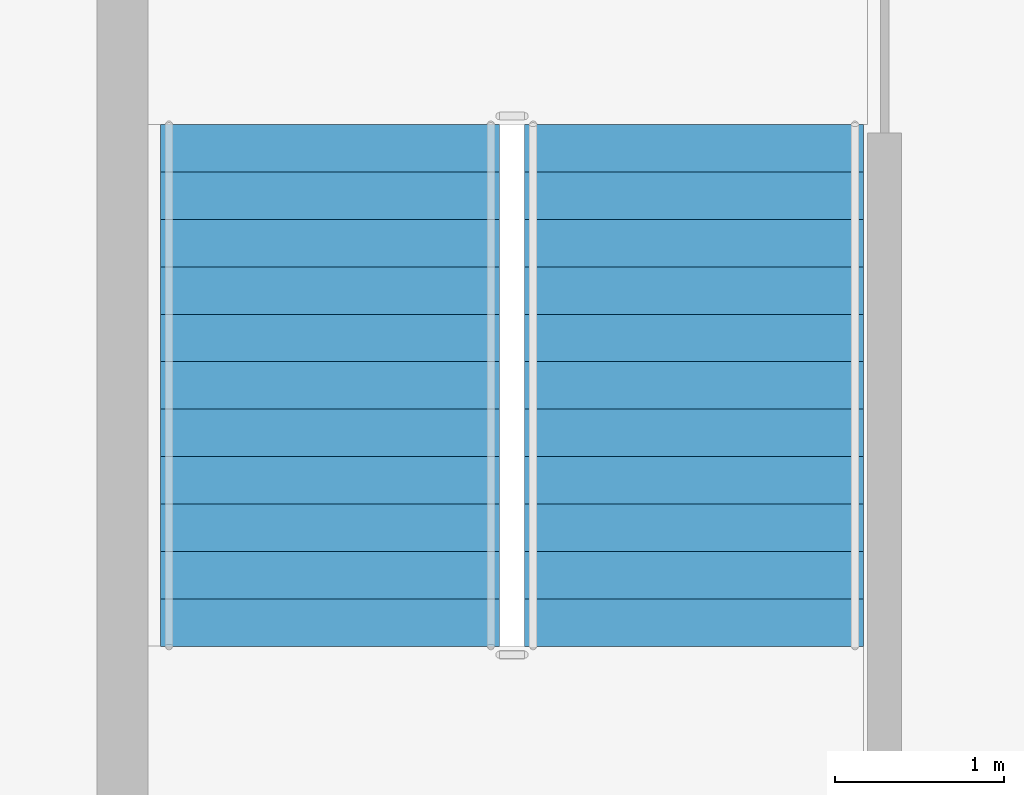
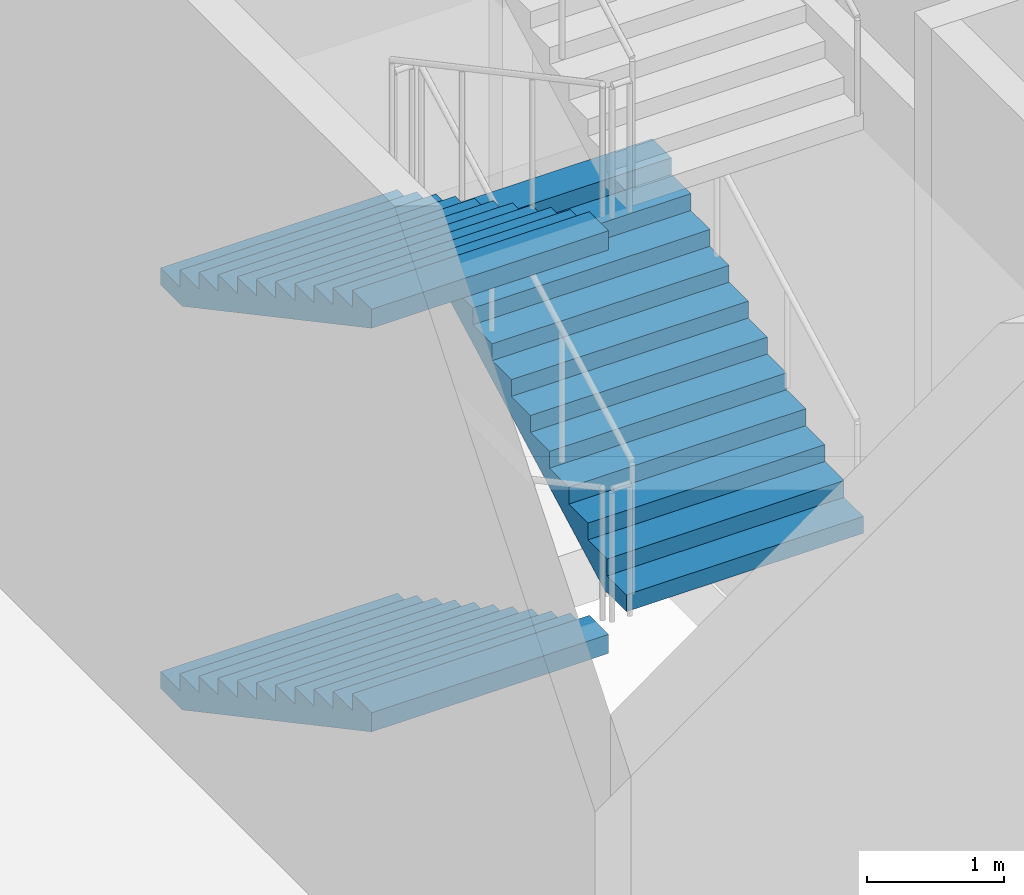
# One storey, part 11 of 15: 3 stair flights, 1 element without a shape of its own.
"""IFC4 building model written with IfcOpenShell, lengths in metres."""

from ifc_helpers import new_model, si_unit, direction, frame, origin, place, context, subcontext, project, spatial, polygons, material, type_object, element, aggregate, save


model = new_model("IFC4")

# Units and contexts
model_context = context("Model", 3, precision=1e-05, world=origin(), true_north=direction((0.0, 1.0)))
body_context = subcontext(model_context, "Body", "Model", "MODEL_VIEW")
ifc_project = project(units=[si_unit("LENGTHUNIT", "METRE"), si_unit("AREAUNIT", "SQUARE_METRE"), si_unit("VOLUMEUNIT", "CUBIC_METRE"), si_unit("PLANEANGLEUNIT", "RADIAN"), si_unit("MASSUNIT", "GRAM", prefix="KILO")], contexts=[model_context])

# Site, building, storey
site_placement = place(None, origin())
site = spatial("IfcSite", under=ifc_project, at=site_placement, CompositionType="ELEMENT")
building_placement = place(site_placement, origin())
building = spatial("IfcBuilding", under=site, at=building_placement, Name="Caravel Reach Hotel and Residences", CompositionType="ELEMENT")
storey_placement = place(building_placement, frame((0.0, 0.0, 305.60009765625)))
storey = spatial("IfcBuildingStorey", under=building, at=storey_placement, Name="L78", CompositionType="ELEMENT", Elevation=305.60009765625)

# Stair, stair flights
ifc_material_1 = material(Name="Concrete C40", Category="concrete")
stair_type = type_object("IfcStairType", Name="Core stair", PredefinedType="HALF_TURN_STAIR", material=ifc_material_1)
stair_placement = place(storey_placement, origin())
stair = element("IfcStair", 1, at=stair_placement, inside=storey, type_object=stair_type, Name="L78 Exit stair A", PredefinedType="HALF_TURN_STAIR")
ifc_material_2 = material(Name="Concrete C40", Category="concrete")
stair_flight_type = type_object("IfcStairFlightType", Name="Core stair flight", PredefinedType="STRAIGHT", material=ifc_material_2)
stair_flight_1_placement = place(storey_placement, frame((19.22509765625, 29.35009765625, 0.0), z_axis=(0.0, 0.0, 1.0), x_axis=(0.0, -1.0, 0.0)))
stair_flight_1 = element("IfcStairFlight", 2, at=stair_flight_1_placement, type_object=stair_flight_type, Name="ST-A flight 1", NumberOfRisers=12, NumberOfTreads=11, PredefinedType="STRAIGHT", RiserHeight=0.15, TreadLength=0.28, context=body_context, shape_type="Tessellation", body=[
    polygons([(0.3174408016601862, 1.0, 0.0), (0.3174408016601862, 0.6666666666666667, 0.0), (0.3174408016601862, 0.33333333333333337, 0.0), (0.3174408016601862, 0.0, 0.0), (0.3174408016601862, -0.33333333333333326, 0.0), (0.3174408016601862, -0.6666666666666667, 0.0), (0.3174408016601862, -1.0, 0.0), (3.081, 1.0, 1.479942427682043), (3.081, 0.6666666666666667, 1.479942427682043), (3.081, 0.33333333333333337, 1.479942427682043), (3.081, 0.0, 1.479942427682043), (3.081, -0.33333333333333326, 1.479942427682043), (3.081, -0.6666666666666667, 1.479942427682043), (3.081, -1.0, 1.479942427682043), (3.081, 1.0, 1.65), (3.081, 0.6666666666666667, 1.65), (3.081, 0.33333333333333337, 1.65), (3.081, 0.0, 1.65), (3.081, -0.33333333333333326, 1.65), (3.081, -0.6666666666666667, 1.65), (3.081, -1.0, 1.65), (2.8000000000000003, 1.0, 1.65), (2.8000000000000003, 0.6666666666666667, 1.65), (2.8000000000000003, 0.33333333333333337, 1.65), (2.8000000000000003, 0.0, 1.65), (2.8000000000000003, -0.33333333333333326, 1.65), (2.8000000000000003, -0.6666666666666667, 1.65), (2.8000000000000003, -1.0, 1.65), (2.8000000000000003, 1.0, 1.5), (2.8000000000000003, 0.6666666666666667, 1.5), (2.8000000000000003, 0.33333333333333337, 1.5), (2.8000000000000003, 0.0, 1.5), (2.8000000000000003, -0.33333333333333326, 1.5), (2.8000000000000003, -0.6666666666666667, 1.5), (2.8000000000000003, -1.0, 1.5), (2.5200000000000005, 1.0, 1.5), (2.5200000000000005, 0.6666666666666667, 1.5), (2.5200000000000005, 0.33333333333333337, 1.5), (2.5200000000000005, 0.0, 1.5), (2.5200000000000005, -0.33333333333333326, 1.5), (2.5200000000000005, -0.6666666666666667, 1.5), (2.5200000000000005, -1.0, 1.5), (2.5200000000000005, 1.0, 1.3499999999999999), (2.5200000000000005, 0.6666666666666667, 1.3499999999999999), (2.5200000000000005, 0.33333333333333337, 1.3499999999999999), (2.5200000000000005, 0.0, 1.3499999999999999), (2.5200000000000005, -0.33333333333333326, 1.3499999999999999), (2.5200000000000005, -0.6666666666666667, 1.3499999999999999), (2.5200000000000005, -1.0, 1.3499999999999999), (2.24, 1.0, 1.3499999999999999), (2.24, 0.6666666666666667, 1.3499999999999999), (2.24, 0.33333333333333337, 1.3499999999999999), (2.24, 0.0, 1.3499999999999999), (2.24, -0.33333333333333326, 1.3499999999999999), (2.24, -0.6666666666666667, 1.3499999999999999), (2.24, -1.0, 1.3499999999999999), (2.24, 1.0, 1.2), (2.24, 0.6666666666666667, 1.2), (2.24, 0.33333333333333337, 1.2), (2.24, 0.0, 1.2), (2.24, -0.33333333333333326, 1.2), (2.24, -0.6666666666666667, 1.2), (2.24, -1.0, 1.2), (1.9600000000000002, 1.0, 1.2), (1.9600000000000002, 0.6666666666666667, 1.2), (1.9600000000000002, 0.33333333333333337, 1.2), (1.9600000000000002, 0.0, 1.2), (1.9600000000000002, -0.33333333333333326, 1.2), (1.9600000000000002, -0.6666666666666667, 1.2), (1.9600000000000002, -1.0, 1.2), (1.9600000000000002, 1.0, 1.05), (1.9600000000000002, 0.6666666666666667, 1.05), (1.9600000000000002, 0.33333333333333337, 1.05), (1.9600000000000002, 0.0, 1.05), (1.9600000000000002, -0.33333333333333326, 1.05), (1.9600000000000002, -0.6666666666666667, 1.05), (1.9600000000000002, -1.0, 1.05), (1.6800000000000002, 1.0, 1.05), (1.6800000000000002, 0.6666666666666667, 1.05), (1.6800000000000002, 0.33333333333333337, 1.05), (1.6800000000000002, 0.0, 1.05), (1.6800000000000002, -0.33333333333333326, 1.05), (1.6800000000000002, -0.6666666666666667, 1.05), (1.6800000000000002, -1.0, 1.05), (1.6800000000000002, 1.0, 0.8999999999999999), (1.6800000000000002, 0.6666666666666667, 0.8999999999999999), (1.6800000000000002, 0.33333333333333337, 0.8999999999999999), (1.6800000000000002, 0.0, 0.8999999999999999), (1.6800000000000002, -0.33333333333333326, 0.8999999999999999), (1.6800000000000002, -0.6666666666666667, 0.8999999999999999), (1.6800000000000002, -1.0, 0.8999999999999999), (1.4000000000000001, 1.0, 0.8999999999999999), (1.4000000000000001, 0.6666666666666667, 0.8999999999999999), (1.4000000000000001, 0.33333333333333337, 0.8999999999999999), (1.4000000000000001, 0.0, 0.8999999999999999), (1.4000000000000001, -0.33333333333333326, 0.8999999999999999), (1.4000000000000001, -0.6666666666666667, 0.8999999999999999), (1.4000000000000001, -1.0, 0.8999999999999999), (1.4000000000000001, 1.0, 0.75), (1.4000000000000001, 0.6666666666666667, 0.75), (1.4000000000000001, 0.33333333333333337, 0.75), (1.4000000000000001, 0.0, 0.75), (1.4000000000000001, -0.33333333333333326, 0.75), (1.4000000000000001, -0.6666666666666667, 0.75), (1.4000000000000001, -1.0, 0.75), (1.12, 1.0, 0.75), (1.12, 0.6666666666666667, 0.75), (1.12, 0.33333333333333337, 0.75), (1.12, 0.0, 0.75), (1.12, -0.33333333333333326, 0.75), (1.12, -0.6666666666666667, 0.75), (1.12, -1.0, 0.75), (1.12, 1.0, 0.6), (1.12, 0.6666666666666667, 0.6), (1.12, 0.33333333333333337, 0.6), (1.12, 0.0, 0.6), (1.12, -0.33333333333333326, 0.6), (1.12, -0.6666666666666667, 0.6), (1.12, -1.0, 0.6), (0.8400000000000001, 1.0, 0.6), (0.8400000000000001, 0.6666666666666667, 0.6), (0.8400000000000001, 0.33333333333333337, 0.6), (0.8400000000000001, 0.0, 0.6), (0.8400000000000001, -0.33333333333333326, 0.6), (0.8400000000000001, -0.6666666666666667, 0.6), (0.8400000000000001, -1.0, 0.6), (0.8400000000000001, 1.0, 0.44999999999999996), (0.8400000000000001, 0.6666666666666667, 0.44999999999999996), (0.8400000000000001, 0.33333333333333337, 0.44999999999999996), (0.8400000000000001, 0.0, 0.44999999999999996), (0.8400000000000001, -0.33333333333333326, 0.44999999999999996), (0.8400000000000001, -0.6666666666666667, 0.44999999999999996), (0.8400000000000001, -1.0, 0.44999999999999996), (0.56, 1.0, 0.44999999999999996), (0.56, 0.6666666666666667, 0.44999999999999996), (0.56, 0.33333333333333337, 0.44999999999999996), (0.56, 0.0, 0.44999999999999996), (0.56, -0.33333333333333326, 0.44999999999999996), (0.56, -0.6666666666666667, 0.44999999999999996), (0.56, -1.0, 0.44999999999999996), (0.56, 1.0, 0.3), (0.56, 0.6666666666666667, 0.3), (0.56, 0.33333333333333337, 0.3), (0.56, 0.0, 0.3), (0.56, -0.33333333333333326, 0.3), (0.56, -0.6666666666666667, 0.3), (0.56, -1.0, 0.3), (0.28, 1.0, 0.3), (0.28, 0.6666666666666667, 0.3), (0.28, 0.33333333333333337, 0.3), (0.28, 0.0, 0.3), (0.28, -0.33333333333333326, 0.3), (0.28, -0.6666666666666667, 0.3), (0.28, -1.0, 0.3), (0.28, 1.0, 0.15), (0.28, 0.6666666666666667, 0.15), (0.28, 0.33333333333333337, 0.15), (0.28, 0.0, 0.15), (0.28, -0.33333333333333326, 0.15), (0.28, -0.6666666666666667, 0.15), (0.28, -1.0, 0.15), (-0.001, 1.0, 0.15), (-0.001, 0.6666666666666667, 0.15), (-0.001, 0.33333333333333337, 0.15), (-0.001, 0.0, 0.15), (-0.001, -0.33333333333333326, 0.15), (-0.001, -0.6666666666666667, 0.15), (-0.001, -1.0, 0.15), (-0.001, 1.0, 0.0), (-0.001, 0.6666666666666667, 0.0), (-0.001, 0.33333333333333337, 0.0), (-0.001, 0.0, 0.0), (-0.001, -0.33333333333333326, 0.0), (-0.001, -0.6666666666666667, 0.0), (-0.001, -1.0, 0.0)], [[[169, 162, 155, 148, 141, 134, 127, 120, 113, 106, 99, 92, 85, 78, 71, 64, 57, 50, 43, 36, 29, 22, 15, 8, 1]], [[7, 14, 21, 28, 35, 42, 49, 56, 63, 70, 77, 84, 91, 98, 105, 112, 119, 126, 133, 140, 147, 154, 161, 168, 175]], [[1, 8, 9, 2]], [[2, 9, 10, 3]], [[3, 10, 11, 4]], [[4, 11, 12, 5]], [[5, 12, 13, 6]], [[6, 13, 14, 7]], [[8, 15, 16, 9]], [[9, 16, 17, 10]], [[10, 17, 18, 11]], [[11, 18, 19, 12]], [[12, 19, 20, 13]], [[13, 20, 21, 14]], [[15, 22, 23, 16]], [[16, 23, 24, 17]], [[17, 24, 25, 18]], [[18, 25, 26, 19]], [[19, 26, 27, 20]], [[20, 27, 28, 21]], [[22, 29, 30, 23]], [[23, 30, 31, 24]], [[24, 31, 32, 25]], [[25, 32, 33, 26]], [[26, 33, 34, 27]], [[27, 34, 35, 28]], [[29, 36, 37, 30]], [[30, 37, 38, 31]], [[31, 38, 39, 32]], [[32, 39, 40, 33]], [[33, 40, 41, 34]], [[34, 41, 42, 35]], [[36, 43, 44, 37]], [[37, 44, 45, 38]], [[38, 45, 46, 39]], [[39, 46, 47, 40]], [[40, 47, 48, 41]], [[41, 48, 49, 42]], [[43, 50, 51, 44]], [[44, 51, 52, 45]], [[45, 52, 53, 46]], [[46, 53, 54, 47]], [[47, 54, 55, 48]], [[48, 55, 56, 49]], [[50, 57, 58, 51]], [[51, 58, 59, 52]], [[52, 59, 60, 53]], [[53, 60, 61, 54]], [[54, 61, 62, 55]], [[55, 62, 63, 56]], [[57, 64, 65, 58]], [[58, 65, 66, 59]], [[59, 66, 67, 60]], [[60, 67, 68, 61]], [[61, 68, 69, 62]], [[62, 69, 70, 63]], [[64, 71, 72, 65]], [[65, 72, 73, 66]], [[66, 73, 74, 67]], [[67, 74, 75, 68]], [[68, 75, 76, 69]], [[69, 76, 77, 70]], [[71, 78, 79, 72]], [[72, 79, 80, 73]], [[73, 80, 81, 74]], [[74, 81, 82, 75]], [[75, 82, 83, 76]], [[76, 83, 84, 77]], [[78, 85, 86, 79]], [[79, 86, 87, 80]], [[80, 87, 88, 81]], [[81, 88, 89, 82]], [[82, 89, 90, 83]], [[83, 90, 91, 84]], [[85, 92, 93, 86]], [[86, 93, 94, 87]], [[87, 94, 95, 88]], [[88, 95, 96, 89]], [[89, 96, 97, 90]], [[90, 97, 98, 91]], [[92, 99, 100, 93]], [[93, 100, 101, 94]], [[94, 101, 102, 95]], [[95, 102, 103, 96]], [[96, 103, 104, 97]], [[97, 104, 105, 98]], [[99, 106, 107, 100]], [[100, 107, 108, 101]], [[101, 108, 109, 102]], [[102, 109, 110, 103]], [[103, 110, 111, 104]], [[104, 111, 112, 105]], [[106, 113, 114, 107]], [[107, 114, 115, 108]], [[108, 115, 116, 109]], [[109, 116, 117, 110]], [[110, 117, 118, 111]], [[111, 118, 119, 112]], [[113, 120, 121, 114]], [[114, 121, 122, 115]], [[115, 122, 123, 116]], [[116, 123, 124, 117]], [[117, 124, 125, 118]], [[118, 125, 126, 119]], [[120, 127, 128, 121]], [[121, 128, 129, 122]], [[122, 129, 130, 123]], [[123, 130, 131, 124]], [[124, 131, 132, 125]], [[125, 132, 133, 126]], [[127, 134, 135, 128]], [[128, 135, 136, 129]], [[129, 136, 137, 130]], [[130, 137, 138, 131]], [[131, 138, 139, 132]], [[132, 139, 140, 133]], [[134, 141, 142, 135]], [[135, 142, 143, 136]], [[136, 143, 144, 137]], [[137, 144, 145, 138]], [[138, 145, 146, 139]], [[139, 146, 147, 140]], [[141, 148, 149, 142]], [[142, 149, 150, 143]], [[143, 150, 151, 144]], [[144, 151, 152, 145]], [[145, 152, 153, 146]], [[146, 153, 154, 147]], [[148, 155, 156, 149]], [[149, 156, 157, 150]], [[150, 157, 158, 151]], [[151, 158, 159, 152]], [[152, 159, 160, 153]], [[153, 160, 161, 154]], [[155, 162, 163, 156]], [[156, 163, 164, 157]], [[157, 164, 165, 158]], [[158, 165, 166, 159]], [[159, 166, 167, 160]], [[160, 167, 168, 161]], [[162, 169, 170, 163]], [[163, 170, 171, 164]], [[164, 171, 172, 165]], [[165, 172, 173, 166]], [[166, 173, 174, 167]], [[167, 174, 175, 168]], [[169, 1, 2, 170]], [[170, 2, 3, 171]], [[171, 3, 4, 172]], [[172, 4, 5, 173]], [[173, 5, 6, 174]], [[174, 6, 7, 175]]], closed=True),
])
stair_flight_2_placement = place(storey_placement, frame((21.375, 26.27001953125, 1.7998046875), z_axis=(0.0, 0.0, 1.0), x_axis=(0.0, 1.0, 0.0)))
stair_flight_2 = element("IfcStairFlight", 3, at=stair_flight_2_placement, type_object=stair_flight_type, Name="ST-A flight 2", NumberOfRisers=12, NumberOfTreads=11, PredefinedType="STRAIGHT", RiserHeight=0.15, TreadLength=0.28, context=body_context, shape_type="Tessellation", body=[
    polygons([(0.3174408016601862, 1.0, 0.0), (0.3174408016601862, 0.6666666666666667, 0.0), (0.3174408016601862, 0.33333333333333337, 0.0), (0.3174408016601862, 0.0, 0.0), (0.3174408016601862, -0.33333333333333326, 0.0), (0.3174408016601862, -0.6666666666666667, 0.0), (0.3174408016601862, -1.0, 0.0), (3.081, 1.0, 1.479942427682043), (3.081, 0.6666666666666667, 1.479942427682043), (3.081, 0.33333333333333337, 1.479942427682043), (3.081, 0.0, 1.479942427682043), (3.081, -0.33333333333333326, 1.479942427682043), (3.081, -0.6666666666666667, 1.479942427682043), (3.081, -1.0, 1.479942427682043), (3.081, 1.0, 1.65), (3.081, 0.6666666666666667, 1.65), (3.081, 0.33333333333333337, 1.65), (3.081, 0.0, 1.65), (3.081, -0.33333333333333326, 1.65), (3.081, -0.6666666666666667, 1.65), (3.081, -1.0, 1.65), (2.8000000000000003, 1.0, 1.65), (2.8000000000000003, 0.6666666666666667, 1.65), (2.8000000000000003, 0.33333333333333337, 1.65), (2.8000000000000003, 0.0, 1.65), (2.8000000000000003, -0.33333333333333326, 1.65), (2.8000000000000003, -0.6666666666666667, 1.65), (2.8000000000000003, -1.0, 1.65), (2.8000000000000003, 1.0, 1.5), (2.8000000000000003, 0.6666666666666667, 1.5), (2.8000000000000003, 0.33333333333333337, 1.5), (2.8000000000000003, 0.0, 1.5), (2.8000000000000003, -0.33333333333333326, 1.5), (2.8000000000000003, -0.6666666666666667, 1.5), (2.8000000000000003, -1.0, 1.5), (2.5200000000000005, 1.0, 1.5), (2.5200000000000005, 0.6666666666666667, 1.5), (2.5200000000000005, 0.33333333333333337, 1.5), (2.5200000000000005, 0.0, 1.5), (2.5200000000000005, -0.33333333333333326, 1.5), (2.5200000000000005, -0.6666666666666667, 1.5), (2.5200000000000005, -1.0, 1.5), (2.5200000000000005, 1.0, 1.3499999999999999), (2.5200000000000005, 0.6666666666666667, 1.3499999999999999), (2.5200000000000005, 0.33333333333333337, 1.3499999999999999), (2.5200000000000005, 0.0, 1.3499999999999999), (2.5200000000000005, -0.33333333333333326, 1.3499999999999999), (2.5200000000000005, -0.6666666666666667, 1.3499999999999999), (2.5200000000000005, -1.0, 1.3499999999999999), (2.24, 1.0, 1.3499999999999999), (2.24, 0.6666666666666667, 1.3499999999999999), (2.24, 0.33333333333333337, 1.3499999999999999), (2.24, 0.0, 1.3499999999999999), (2.24, -0.33333333333333326, 1.3499999999999999), (2.24, -0.6666666666666667, 1.3499999999999999), (2.24, -1.0, 1.3499999999999999), (2.24, 1.0, 1.2), (2.24, 0.6666666666666667, 1.2), (2.24, 0.33333333333333337, 1.2), (2.24, 0.0, 1.2), (2.24, -0.33333333333333326, 1.2), (2.24, -0.6666666666666667, 1.2), (2.24, -1.0, 1.2), (1.9600000000000002, 1.0, 1.2), (1.9600000000000002, 0.6666666666666667, 1.2), (1.9600000000000002, 0.33333333333333337, 1.2), (1.9600000000000002, 0.0, 1.2), (1.9600000000000002, -0.33333333333333326, 1.2), (1.9600000000000002, -0.6666666666666667, 1.2), (1.9600000000000002, -1.0, 1.2), (1.9600000000000002, 1.0, 1.05), (1.9600000000000002, 0.6666666666666667, 1.05), (1.9600000000000002, 0.33333333333333337, 1.05), (1.9600000000000002, 0.0, 1.05), (1.9600000000000002, -0.33333333333333326, 1.05), (1.9600000000000002, -0.6666666666666667, 1.05), (1.9600000000000002, -1.0, 1.05), (1.6800000000000002, 1.0, 1.05), (1.6800000000000002, 0.6666666666666667, 1.05), (1.6800000000000002, 0.33333333333333337, 1.05), (1.6800000000000002, 0.0, 1.05), (1.6800000000000002, -0.33333333333333326, 1.05), (1.6800000000000002, -0.6666666666666667, 1.05), (1.6800000000000002, -1.0, 1.05), (1.6800000000000002, 1.0, 0.8999999999999999), (1.6800000000000002, 0.6666666666666667, 0.8999999999999999), (1.6800000000000002, 0.33333333333333337, 0.8999999999999999), (1.6800000000000002, 0.0, 0.8999999999999999), (1.6800000000000002, -0.33333333333333326, 0.8999999999999999), (1.6800000000000002, -0.6666666666666667, 0.8999999999999999), (1.6800000000000002, -1.0, 0.8999999999999999), (1.4000000000000001, 1.0, 0.8999999999999999), (1.4000000000000001, 0.6666666666666667, 0.8999999999999999), (1.4000000000000001, 0.33333333333333337, 0.8999999999999999), (1.4000000000000001, 0.0, 0.8999999999999999), (1.4000000000000001, -0.33333333333333326, 0.8999999999999999), (1.4000000000000001, -0.6666666666666667, 0.8999999999999999), (1.4000000000000001, -1.0, 0.8999999999999999), (1.4000000000000001, 1.0, 0.75), (1.4000000000000001, 0.6666666666666667, 0.75), (1.4000000000000001, 0.33333333333333337, 0.75), (1.4000000000000001, 0.0, 0.75), (1.4000000000000001, -0.33333333333333326, 0.75), (1.4000000000000001, -0.6666666666666667, 0.75), (1.4000000000000001, -1.0, 0.75), (1.12, 1.0, 0.75), (1.12, 0.6666666666666667, 0.75), (1.12, 0.33333333333333337, 0.75), (1.12, 0.0, 0.75), (1.12, -0.33333333333333326, 0.75), (1.12, -0.6666666666666667, 0.75), (1.12, -1.0, 0.75), (1.12, 1.0, 0.6), (1.12, 0.6666666666666667, 0.6), (1.12, 0.33333333333333337, 0.6), (1.12, 0.0, 0.6), (1.12, -0.33333333333333326, 0.6), (1.12, -0.6666666666666667, 0.6), (1.12, -1.0, 0.6), (0.8400000000000001, 1.0, 0.6), (0.8400000000000001, 0.6666666666666667, 0.6), (0.8400000000000001, 0.33333333333333337, 0.6), (0.8400000000000001, 0.0, 0.6), (0.8400000000000001, -0.33333333333333326, 0.6), (0.8400000000000001, -0.6666666666666667, 0.6), (0.8400000000000001, -1.0, 0.6), (0.8400000000000001, 1.0, 0.44999999999999996), (0.8400000000000001, 0.6666666666666667, 0.44999999999999996), (0.8400000000000001, 0.33333333333333337, 0.44999999999999996), (0.8400000000000001, 0.0, 0.44999999999999996), (0.8400000000000001, -0.33333333333333326, 0.44999999999999996), (0.8400000000000001, -0.6666666666666667, 0.44999999999999996), (0.8400000000000001, -1.0, 0.44999999999999996), (0.56, 1.0, 0.44999999999999996), (0.56, 0.6666666666666667, 0.44999999999999996), (0.56, 0.33333333333333337, 0.44999999999999996), (0.56, 0.0, 0.44999999999999996), (0.56, -0.33333333333333326, 0.44999999999999996), (0.56, -0.6666666666666667, 0.44999999999999996), (0.56, -1.0, 0.44999999999999996), (0.56, 1.0, 0.3), (0.56, 0.6666666666666667, 0.3), (0.56, 0.33333333333333337, 0.3), (0.56, 0.0, 0.3), (0.56, -0.33333333333333326, 0.3), (0.56, -0.6666666666666667, 0.3), (0.56, -1.0, 0.3), (0.28, 1.0, 0.3), (0.28, 0.6666666666666667, 0.3), (0.28, 0.33333333333333337, 0.3), (0.28, 0.0, 0.3), (0.28, -0.33333333333333326, 0.3), (0.28, -0.6666666666666667, 0.3), (0.28, -1.0, 0.3), (0.28, 1.0, 0.15), (0.28, 0.6666666666666667, 0.15), (0.28, 0.33333333333333337, 0.15), (0.28, 0.0, 0.15), (0.28, -0.33333333333333326, 0.15), (0.28, -0.6666666666666667, 0.15), (0.28, -1.0, 0.15), (-0.001, 1.0, 0.15), (-0.001, 0.6666666666666667, 0.15), (-0.001, 0.33333333333333337, 0.15), (-0.001, 0.0, 0.15), (-0.001, -0.33333333333333326, 0.15), (-0.001, -0.6666666666666667, 0.15), (-0.001, -1.0, 0.15), (-0.001, 1.0, 0.0), (-0.001, 0.6666666666666667, 0.0), (-0.001, 0.33333333333333337, 0.0), (-0.001, 0.0, 0.0), (-0.001, -0.33333333333333326, 0.0), (-0.001, -0.6666666666666667, 0.0), (-0.001, -1.0, 0.0)], [[[169, 162, 155, 148, 141, 134, 127, 120, 113, 106, 99, 92, 85, 78, 71, 64, 57, 50, 43, 36, 29, 22, 15, 8, 1]], [[7, 14, 21, 28, 35, 42, 49, 56, 63, 70, 77, 84, 91, 98, 105, 112, 119, 126, 133, 140, 147, 154, 161, 168, 175]], [[1, 8, 9, 2]], [[2, 9, 10, 3]], [[3, 10, 11, 4]], [[4, 11, 12, 5]], [[5, 12, 13, 6]], [[6, 13, 14, 7]], [[8, 15, 16, 9]], [[9, 16, 17, 10]], [[10, 17, 18, 11]], [[11, 18, 19, 12]], [[12, 19, 20, 13]], [[13, 20, 21, 14]], [[15, 22, 23, 16]], [[16, 23, 24, 17]], [[17, 24, 25, 18]], [[18, 25, 26, 19]], [[19, 26, 27, 20]], [[20, 27, 28, 21]], [[22, 29, 30, 23]], [[23, 30, 31, 24]], [[24, 31, 32, 25]], [[25, 32, 33, 26]], [[26, 33, 34, 27]], [[27, 34, 35, 28]], [[29, 36, 37, 30]], [[30, 37, 38, 31]], [[31, 38, 39, 32]], [[32, 39, 40, 33]], [[33, 40, 41, 34]], [[34, 41, 42, 35]], [[36, 43, 44, 37]], [[37, 44, 45, 38]], [[38, 45, 46, 39]], [[39, 46, 47, 40]], [[40, 47, 48, 41]], [[41, 48, 49, 42]], [[43, 50, 51, 44]], [[44, 51, 52, 45]], [[45, 52, 53, 46]], [[46, 53, 54, 47]], [[47, 54, 55, 48]], [[48, 55, 56, 49]], [[50, 57, 58, 51]], [[51, 58, 59, 52]], [[52, 59, 60, 53]], [[53, 60, 61, 54]], [[54, 61, 62, 55]], [[55, 62, 63, 56]], [[57, 64, 65, 58]], [[58, 65, 66, 59]], [[59, 66, 67, 60]], [[60, 67, 68, 61]], [[61, 68, 69, 62]], [[62, 69, 70, 63]], [[64, 71, 72, 65]], [[65, 72, 73, 66]], [[66, 73, 74, 67]], [[67, 74, 75, 68]], [[68, 75, 76, 69]], [[69, 76, 77, 70]], [[71, 78, 79, 72]], [[72, 79, 80, 73]], [[73, 80, 81, 74]], [[74, 81, 82, 75]], [[75, 82, 83, 76]], [[76, 83, 84, 77]], [[78, 85, 86, 79]], [[79, 86, 87, 80]], [[80, 87, 88, 81]], [[81, 88, 89, 82]], [[82, 89, 90, 83]], [[83, 90, 91, 84]], [[85, 92, 93, 86]], [[86, 93, 94, 87]], [[87, 94, 95, 88]], [[88, 95, 96, 89]], [[89, 96, 97, 90]], [[90, 97, 98, 91]], [[92, 99, 100, 93]], [[93, 100, 101, 94]], [[94, 101, 102, 95]], [[95, 102, 103, 96]], [[96, 103, 104, 97]], [[97, 104, 105, 98]], [[99, 106, 107, 100]], [[100, 107, 108, 101]], [[101, 108, 109, 102]], [[102, 109, 110, 103]], [[103, 110, 111, 104]], [[104, 111, 112, 105]], [[106, 113, 114, 107]], [[107, 114, 115, 108]], [[108, 115, 116, 109]], [[109, 116, 117, 110]], [[110, 117, 118, 111]], [[111, 118, 119, 112]], [[113, 120, 121, 114]], [[114, 121, 122, 115]], [[115, 122, 123, 116]], [[116, 123, 124, 117]], [[117, 124, 125, 118]], [[118, 125, 126, 119]], [[120, 127, 128, 121]], [[121, 128, 129, 122]], [[122, 129, 130, 123]], [[123, 130, 131, 124]], [[124, 131, 132, 125]], [[125, 132, 133, 126]], [[127, 134, 135, 128]], [[128, 135, 136, 129]], [[129, 136, 137, 130]], [[130, 137, 138, 131]], [[131, 138, 139, 132]], [[132, 139, 140, 133]], [[134, 141, 142, 135]], [[135, 142, 143, 136]], [[136, 143, 144, 137]], [[137, 144, 145, 138]], [[138, 145, 146, 139]], [[139, 146, 147, 140]], [[141, 148, 149, 142]], [[142, 149, 150, 143]], [[143, 150, 151, 144]], [[144, 151, 152, 145]], [[145, 152, 153, 146]], [[146, 153, 154, 147]], [[148, 155, 156, 149]], [[149, 156, 157, 150]], [[150, 157, 158, 151]], [[151, 158, 159, 152]], [[152, 159, 160, 153]], [[153, 160, 161, 154]], [[155, 162, 163, 156]], [[156, 163, 164, 157]], [[157, 164, 165, 158]], [[158, 165, 166, 159]], [[159, 166, 167, 160]], [[160, 167, 168, 161]], [[162, 169, 170, 163]], [[163, 170, 171, 164]], [[164, 171, 172, 165]], [[165, 172, 173, 166]], [[166, 173, 174, 167]], [[167, 174, 175, 168]], [[169, 1, 2, 170]], [[170, 2, 3, 171]], [[171, 3, 4, 172]], [[172, 4, 5, 173]], [[173, 5, 6, 174]], [[174, 6, 7, 175]]], closed=True),
])
stair_flight_3_placement = place(storey_placement, frame((19.22509765625, 29.35009765625, 3.599853515625), z_axis=(0.0, 0.0, 1.0), x_axis=(0.0, -1.0, 0.0)))
stair_flight_3 = element("IfcStairFlight", 4, at=stair_flight_3_placement, type_object=stair_flight_type, Name="ST-A flight 3", NumberOfRisers=12, NumberOfTreads=11, PredefinedType="STRAIGHT", RiserHeight=0.15, TreadLength=0.28, context=body_context, shape_type="Tessellation", body=[
    polygons([(0.3174408016601862, 1.0, 0.0), (0.3174408016601862, 0.6666666666666667, 0.0), (0.3174408016601862, 0.33333333333333337, 0.0), (0.3174408016601862, 0.0, 0.0), (0.3174408016601862, -0.33333333333333326, 0.0), (0.3174408016601862, -0.6666666666666667, 0.0), (0.3174408016601862, -1.0, 0.0), (3.081, 1.0, 1.479942427682043), (3.081, 0.6666666666666667, 1.479942427682043), (3.081, 0.33333333333333337, 1.479942427682043), (3.081, 0.0, 1.479942427682043), (3.081, -0.33333333333333326, 1.479942427682043), (3.081, -0.6666666666666667, 1.479942427682043), (3.081, -1.0, 1.479942427682043), (3.081, 1.0, 1.65), (3.081, 0.6666666666666667, 1.65), (3.081, 0.33333333333333337, 1.65), (3.081, 0.0, 1.65), (3.081, -0.33333333333333326, 1.65), (3.081, -0.6666666666666667, 1.65), (3.081, -1.0, 1.65), (2.8000000000000003, 1.0, 1.65), (2.8000000000000003, 0.6666666666666667, 1.65), (2.8000000000000003, 0.33333333333333337, 1.65), (2.8000000000000003, 0.0, 1.65), (2.8000000000000003, -0.33333333333333326, 1.65), (2.8000000000000003, -0.6666666666666667, 1.65), (2.8000000000000003, -1.0, 1.65), (2.8000000000000003, 1.0, 1.5), (2.8000000000000003, 0.6666666666666667, 1.5), (2.8000000000000003, 0.33333333333333337, 1.5), (2.8000000000000003, 0.0, 1.5), (2.8000000000000003, -0.33333333333333326, 1.5), (2.8000000000000003, -0.6666666666666667, 1.5), (2.8000000000000003, -1.0, 1.5), (2.5200000000000005, 1.0, 1.5), (2.5200000000000005, 0.6666666666666667, 1.5), (2.5200000000000005, 0.33333333333333337, 1.5), (2.5200000000000005, 0.0, 1.5), (2.5200000000000005, -0.33333333333333326, 1.5), (2.5200000000000005, -0.6666666666666667, 1.5), (2.5200000000000005, -1.0, 1.5), (2.5200000000000005, 1.0, 1.3499999999999999), (2.5200000000000005, 0.6666666666666667, 1.3499999999999999), (2.5200000000000005, 0.33333333333333337, 1.3499999999999999), (2.5200000000000005, 0.0, 1.3499999999999999), (2.5200000000000005, -0.33333333333333326, 1.3499999999999999), (2.5200000000000005, -0.6666666666666667, 1.3499999999999999), (2.5200000000000005, -1.0, 1.3499999999999999), (2.24, 1.0, 1.3499999999999999), (2.24, 0.6666666666666667, 1.3499999999999999), (2.24, 0.33333333333333337, 1.3499999999999999), (2.24, 0.0, 1.3499999999999999), (2.24, -0.33333333333333326, 1.3499999999999999), (2.24, -0.6666666666666667, 1.3499999999999999), (2.24, -1.0, 1.3499999999999999), (2.24, 1.0, 1.2), (2.24, 0.6666666666666667, 1.2), (2.24, 0.33333333333333337, 1.2), (2.24, 0.0, 1.2), (2.24, -0.33333333333333326, 1.2), (2.24, -0.6666666666666667, 1.2), (2.24, -1.0, 1.2), (1.9600000000000002, 1.0, 1.2), (1.9600000000000002, 0.6666666666666667, 1.2), (1.9600000000000002, 0.33333333333333337, 1.2), (1.9600000000000002, 0.0, 1.2), (1.9600000000000002, -0.33333333333333326, 1.2), (1.9600000000000002, -0.6666666666666667, 1.2), (1.9600000000000002, -1.0, 1.2), (1.9600000000000002, 1.0, 1.05), (1.9600000000000002, 0.6666666666666667, 1.05), (1.9600000000000002, 0.33333333333333337, 1.05), (1.9600000000000002, 0.0, 1.05), (1.9600000000000002, -0.33333333333333326, 1.05), (1.9600000000000002, -0.6666666666666667, 1.05), (1.9600000000000002, -1.0, 1.05), (1.6800000000000002, 1.0, 1.05), (1.6800000000000002, 0.6666666666666667, 1.05), (1.6800000000000002, 0.33333333333333337, 1.05), (1.6800000000000002, 0.0, 1.05), (1.6800000000000002, -0.33333333333333326, 1.05), (1.6800000000000002, -0.6666666666666667, 1.05), (1.6800000000000002, -1.0, 1.05), (1.6800000000000002, 1.0, 0.8999999999999999), (1.6800000000000002, 0.6666666666666667, 0.8999999999999999), (1.6800000000000002, 0.33333333333333337, 0.8999999999999999), (1.6800000000000002, 0.0, 0.8999999999999999), (1.6800000000000002, -0.33333333333333326, 0.8999999999999999), (1.6800000000000002, -0.6666666666666667, 0.8999999999999999), (1.6800000000000002, -1.0, 0.8999999999999999), (1.4000000000000001, 1.0, 0.8999999999999999), (1.4000000000000001, 0.6666666666666667, 0.8999999999999999), (1.4000000000000001, 0.33333333333333337, 0.8999999999999999), (1.4000000000000001, 0.0, 0.8999999999999999), (1.4000000000000001, -0.33333333333333326, 0.8999999999999999), (1.4000000000000001, -0.6666666666666667, 0.8999999999999999), (1.4000000000000001, -1.0, 0.8999999999999999), (1.4000000000000001, 1.0, 0.75), (1.4000000000000001, 0.6666666666666667, 0.75), (1.4000000000000001, 0.33333333333333337, 0.75), (1.4000000000000001, 0.0, 0.75), (1.4000000000000001, -0.33333333333333326, 0.75), (1.4000000000000001, -0.6666666666666667, 0.75), (1.4000000000000001, -1.0, 0.75), (1.12, 1.0, 0.75), (1.12, 0.6666666666666667, 0.75), (1.12, 0.33333333333333337, 0.75), (1.12, 0.0, 0.75), (1.12, -0.33333333333333326, 0.75), (1.12, -0.6666666666666667, 0.75), (1.12, -1.0, 0.75), (1.12, 1.0, 0.6), (1.12, 0.6666666666666667, 0.6), (1.12, 0.33333333333333337, 0.6), (1.12, 0.0, 0.6), (1.12, -0.33333333333333326, 0.6), (1.12, -0.6666666666666667, 0.6), (1.12, -1.0, 0.6), (0.8400000000000001, 1.0, 0.6), (0.8400000000000001, 0.6666666666666667, 0.6), (0.8400000000000001, 0.33333333333333337, 0.6), (0.8400000000000001, 0.0, 0.6), (0.8400000000000001, -0.33333333333333326, 0.6), (0.8400000000000001, -0.6666666666666667, 0.6), (0.8400000000000001, -1.0, 0.6), (0.8400000000000001, 1.0, 0.44999999999999996), (0.8400000000000001, 0.6666666666666667, 0.44999999999999996), (0.8400000000000001, 0.33333333333333337, 0.44999999999999996), (0.8400000000000001, 0.0, 0.44999999999999996), (0.8400000000000001, -0.33333333333333326, 0.44999999999999996), (0.8400000000000001, -0.6666666666666667, 0.44999999999999996), (0.8400000000000001, -1.0, 0.44999999999999996), (0.56, 1.0, 0.44999999999999996), (0.56, 0.6666666666666667, 0.44999999999999996), (0.56, 0.33333333333333337, 0.44999999999999996), (0.56, 0.0, 0.44999999999999996), (0.56, -0.33333333333333326, 0.44999999999999996), (0.56, -0.6666666666666667, 0.44999999999999996), (0.56, -1.0, 0.44999999999999996), (0.56, 1.0, 0.3), (0.56, 0.6666666666666667, 0.3), (0.56, 0.33333333333333337, 0.3), (0.56, 0.0, 0.3), (0.56, -0.33333333333333326, 0.3), (0.56, -0.6666666666666667, 0.3), (0.56, -1.0, 0.3), (0.28, 1.0, 0.3), (0.28, 0.6666666666666667, 0.3), (0.28, 0.33333333333333337, 0.3), (0.28, 0.0, 0.3), (0.28, -0.33333333333333326, 0.3), (0.28, -0.6666666666666667, 0.3), (0.28, -1.0, 0.3), (0.28, 1.0, 0.15), (0.28, 0.6666666666666667, 0.15), (0.28, 0.33333333333333337, 0.15), (0.28, 0.0, 0.15), (0.28, -0.33333333333333326, 0.15), (0.28, -0.6666666666666667, 0.15), (0.28, -1.0, 0.15), (-0.001, 1.0, 0.15), (-0.001, 0.6666666666666667, 0.15), (-0.001, 0.33333333333333337, 0.15), (-0.001, 0.0, 0.15), (-0.001, -0.33333333333333326, 0.15), (-0.001, -0.6666666666666667, 0.15), (-0.001, -1.0, 0.15), (-0.001, 1.0, 0.0), (-0.001, 0.6666666666666667, 0.0), (-0.001, 0.33333333333333337, 0.0), (-0.001, 0.0, 0.0), (-0.001, -0.33333333333333326, 0.0), (-0.001, -0.6666666666666667, 0.0), (-0.001, -1.0, 0.0)], [[[169, 162, 155, 148, 141, 134, 127, 120, 113, 106, 99, 92, 85, 78, 71, 64, 57, 50, 43, 36, 29, 22, 15, 8, 1]], [[7, 14, 21, 28, 35, 42, 49, 56, 63, 70, 77, 84, 91, 98, 105, 112, 119, 126, 133, 140, 147, 154, 161, 168, 175]], [[1, 8, 9, 2]], [[2, 9, 10, 3]], [[3, 10, 11, 4]], [[4, 11, 12, 5]], [[5, 12, 13, 6]], [[6, 13, 14, 7]], [[8, 15, 16, 9]], [[9, 16, 17, 10]], [[10, 17, 18, 11]], [[11, 18, 19, 12]], [[12, 19, 20, 13]], [[13, 20, 21, 14]], [[15, 22, 23, 16]], [[16, 23, 24, 17]], [[17, 24, 25, 18]], [[18, 25, 26, 19]], [[19, 26, 27, 20]], [[20, 27, 28, 21]], [[22, 29, 30, 23]], [[23, 30, 31, 24]], [[24, 31, 32, 25]], [[25, 32, 33, 26]], [[26, 33, 34, 27]], [[27, 34, 35, 28]], [[29, 36, 37, 30]], [[30, 37, 38, 31]], [[31, 38, 39, 32]], [[32, 39, 40, 33]], [[33, 40, 41, 34]], [[34, 41, 42, 35]], [[36, 43, 44, 37]], [[37, 44, 45, 38]], [[38, 45, 46, 39]], [[39, 46, 47, 40]], [[40, 47, 48, 41]], [[41, 48, 49, 42]], [[43, 50, 51, 44]], [[44, 51, 52, 45]], [[45, 52, 53, 46]], [[46, 53, 54, 47]], [[47, 54, 55, 48]], [[48, 55, 56, 49]], [[50, 57, 58, 51]], [[51, 58, 59, 52]], [[52, 59, 60, 53]], [[53, 60, 61, 54]], [[54, 61, 62, 55]], [[55, 62, 63, 56]], [[57, 64, 65, 58]], [[58, 65, 66, 59]], [[59, 66, 67, 60]], [[60, 67, 68, 61]], [[61, 68, 69, 62]], [[62, 69, 70, 63]], [[64, 71, 72, 65]], [[65, 72, 73, 66]], [[66, 73, 74, 67]], [[67, 74, 75, 68]], [[68, 75, 76, 69]], [[69, 76, 77, 70]], [[71, 78, 79, 72]], [[72, 79, 80, 73]], [[73, 80, 81, 74]], [[74, 81, 82, 75]], [[75, 82, 83, 76]], [[76, 83, 84, 77]], [[78, 85, 86, 79]], [[79, 86, 87, 80]], [[80, 87, 88, 81]], [[81, 88, 89, 82]], [[82, 89, 90, 83]], [[83, 90, 91, 84]], [[85, 92, 93, 86]], [[86, 93, 94, 87]], [[87, 94, 95, 88]], [[88, 95, 96, 89]], [[89, 96, 97, 90]], [[90, 97, 98, 91]], [[92, 99, 100, 93]], [[93, 100, 101, 94]], [[94, 101, 102, 95]], [[95, 102, 103, 96]], [[96, 103, 104, 97]], [[97, 104, 105, 98]], [[99, 106, 107, 100]], [[100, 107, 108, 101]], [[101, 108, 109, 102]], [[102, 109, 110, 103]], [[103, 110, 111, 104]], [[104, 111, 112, 105]], [[106, 113, 114, 107]], [[107, 114, 115, 108]], [[108, 115, 116, 109]], [[109, 116, 117, 110]], [[110, 117, 118, 111]], [[111, 118, 119, 112]], [[113, 120, 121, 114]], [[114, 121, 122, 115]], [[115, 122, 123, 116]], [[116, 123, 124, 117]], [[117, 124, 125, 118]], [[118, 125, 126, 119]], [[120, 127, 128, 121]], [[121, 128, 129, 122]], [[122, 129, 130, 123]], [[123, 130, 131, 124]], [[124, 131, 132, 125]], [[125, 132, 133, 126]], [[127, 134, 135, 128]], [[128, 135, 136, 129]], [[129, 136, 137, 130]], [[130, 137, 138, 131]], [[131, 138, 139, 132]], [[132, 139, 140, 133]], [[134, 141, 142, 135]], [[135, 142, 143, 136]], [[136, 143, 144, 137]], [[137, 144, 145, 138]], [[138, 145, 146, 139]], [[139, 146, 147, 140]], [[141, 148, 149, 142]], [[142, 149, 150, 143]], [[143, 150, 151, 144]], [[144, 151, 152, 145]], [[145, 152, 153, 146]], [[146, 153, 154, 147]], [[148, 155, 156, 149]], [[149, 156, 157, 150]], [[150, 157, 158, 151]], [[151, 158, 159, 152]], [[152, 159, 160, 153]], [[153, 160, 161, 154]], [[155, 162, 163, 156]], [[156, 163, 164, 157]], [[157, 164, 165, 158]], [[158, 165, 166, 159]], [[159, 166, 167, 160]], [[160, 167, 168, 161]], [[162, 169, 170, 163]], [[163, 170, 171, 164]], [[164, 171, 172, 165]], [[165, 172, 173, 166]], [[166, 173, 174, 167]], [[167, 174, 175, 168]], [[169, 1, 2, 170]], [[170, 2, 3, 171]], [[171, 3, 4, 172]], [[172, 4, 5, 173]], [[173, 5, 6, 174]], [[174, 6, 7, 175]]], closed=True),
])
aggregate(stair, [stair_flight_1, stair_flight_2, stair_flight_3])

save(model, "model.ifc")
